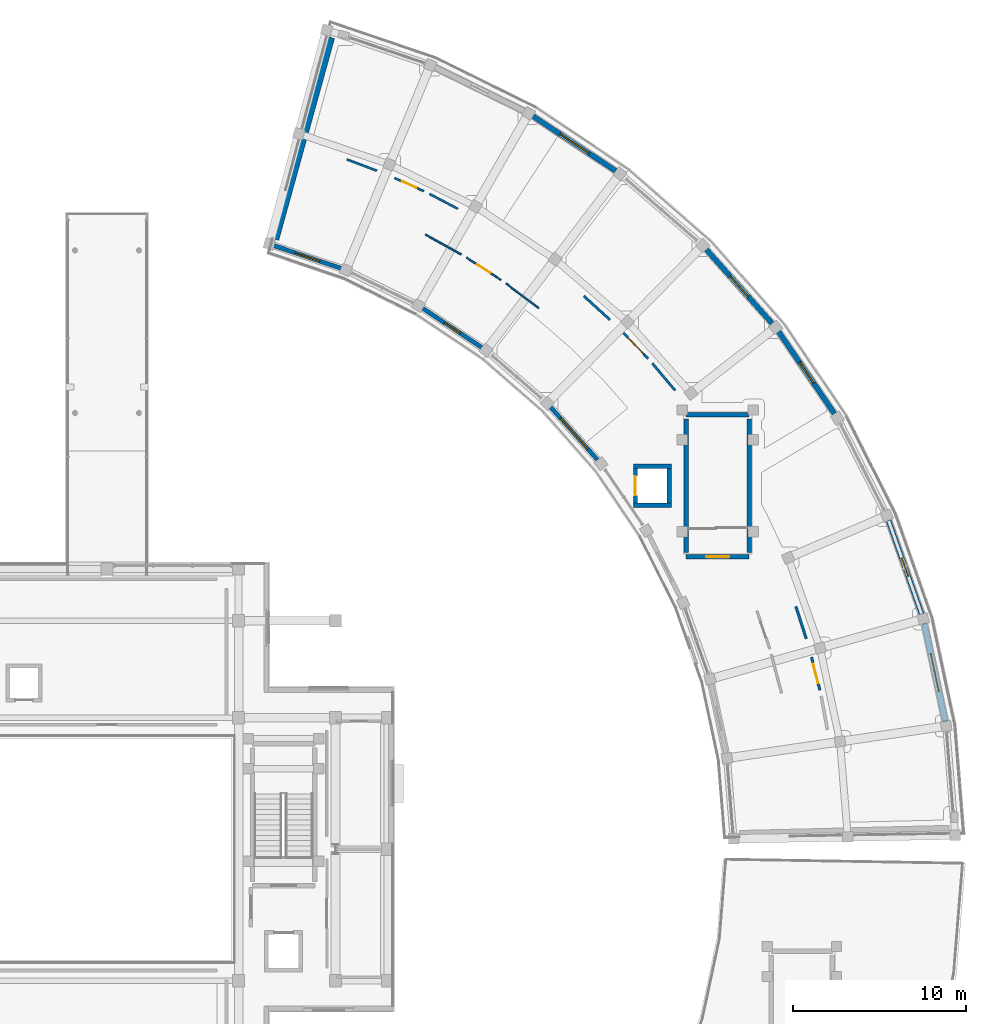
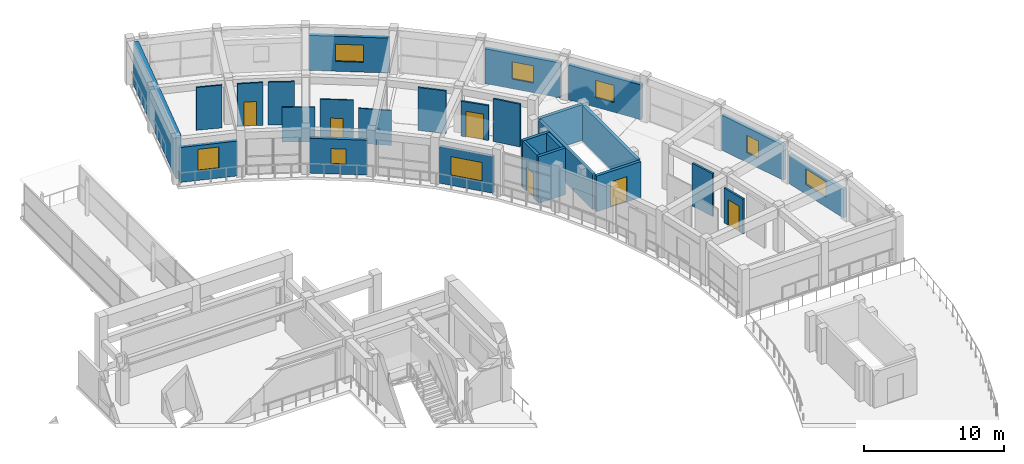
# One storey, part 21 of 29: 28 walls, 8 windows, 6 doors, 14 openings.
"""IFC4 building model written with IfcOpenShell, lengths in metres."""

from ifc_helpers import new_model, si_unit, direction, frame, frame_2d, origin, place, context, subcontext, project, spatial, rectangle, extrude, material, layer, layer_set, type_object, element, fill, save


model = new_model("IFC4")

# Units and contexts
model_context = context("Model", 3, precision=1e-05, world=origin(), true_north=direction((0.0, 1.0)))
body_context = subcontext(model_context, "Body", "Model", "MODEL_VIEW")
ifc_project = project(units=[si_unit("LENGTHUNIT", "METRE"), si_unit("AREAUNIT", "SQUARE_METRE"), si_unit("VOLUMEUNIT", "CUBIC_METRE"), si_unit("PLANEANGLEUNIT", "RADIAN"), si_unit("MASSUNIT", "GRAM", prefix="KILO")], contexts=[model_context])

# Site, building, storey
site_placement = place(None, origin())
site = spatial("IfcSite", under=ifc_project, at=site_placement, CompositionType="ELEMENT")
building_placement = place(site_placement, origin())
building = spatial("IfcBuilding", under=site, at=building_placement, Name="Saryqyr Civic Hall", CompositionType="ELEMENT")
storey_placement = place(building_placement, frame((0.0, 0.0, 25.35009765625)))
storey = spatial("IfcBuildingStorey", under=building, at=storey_placement, Name="L06", CompositionType="ELEMENT", Elevation=25.35009765625)

# Wall, opening, window
ifc_material_1 = material(Name="Precast concrete C40/50", Category="concrete")
ifc_layer_1 = layer(ifc_material_1, 0.239990234375, Name="Precast concrete C40/50")
ifc_layer_set_1 = layer_set([ifc_layer_1], Name="Precast concrete C40/50")
wall_type_1 = type_object("IfcWallType", Name="ENV-WAL-EXT-240", PredefinedType="STANDARD", material=ifc_layer_set_1)
wall_1_placement = place(storey_placement, frame((85.326416015625, 106.509521484375, 0.0), z_axis=(0.0, 0.0, 1.0), x_axis=(-0.664947894459, 0.74688974933, 0.0)))
wall_1 = element("IfcWall", 1, at=wall_1_placement, inside=storey, type_object=wall_type_1, Name="Exterior wall V6-EWI-L06-05", PredefinedType="STANDARD", context=body_context, shape_type="SweptSolid", body=[
    extrude(rectangle(XDim=4.046142578125, YDim=0.239990234375, at=frame_2d((2.02294921875, 0.0))), origin(), (0.0, 0.0, 1.0), 3.184814453125),
])
opening_1_placement = place(wall_1_placement, frame((0.847900390625, 0.0, 0.85009765625)))
opening_1 = element("IfcOpeningElement", 2, at=opening_1_placement, cuts=wall_1, Name="Opening W-22", PredefinedType="OPENING", context=body_context, shape_type="SweptSolid", body=[
    extrude(rectangle(XDim=2.35009765625, YDim=1.64990234375, at=frame_2d((1.175048828125, 0.824951171875))), frame((0.0, 0.1298828125, 0.0), z_axis=(0.0, -1.0, 0.0), x_axis=(1.0, 0.0, 0.0)), (0.0, 0.0, 1.0), 0.260009765625),
])
ifc_material_2 = material(Name="Anodised aluminium and triple low-E glass", Category="aluminium")
window_type_1 = type_object("IfcWindowType", Name="ENV-WIN-W22", PartitioningType="SINGLE_PANEL", PredefinedType="WINDOW", material=ifc_material_2)
window_1_placement = place(opening_1_placement, origin())
window_1 = element("IfcWindow", 3, at=window_1_placement, inside=storey, type_object=window_type_1, Name="Courtyard window V6-L06-05", OverallHeight=1.64990234375, OverallWidth=2.35009765625, PartitioningType="SINGLE_PANEL", PredefinedType="WINDOW", context=body_context, shape_type="SweptSolid", body=[
    extrude(rectangle(XDim=2.35009765625, YDim=1.64990234375, at=frame_2d((1.175048828125, 0.824951171875))), frame((0.0, 0.030029296875, 0.0), z_axis=(0.0, -1.0, 0.0), x_axis=(1.0, 0.0, 0.0)), (0.0, 0.0, 1.0), 0.06005859375),
])
fill(opening_1, window_1)

wall_2_placement = place(storey_placement, frame((78.658935546875, 112.984375, 0.0), z_axis=(0.0, 0.0, 1.0), x_axis=(-0.833763777336, 0.552121330508, 0.0)))
wall_2 = element("IfcWall", 4, at=wall_2_placement, inside=storey, type_object=wall_type_1, Name="Exterior wall V6-EWI-L06-07", PredefinedType="STANDARD", context=body_context, shape_type="SweptSolid", body=[
    extrude(rectangle(XDim=4.111572265625, YDim=0.239990234375, at=frame_2d((2.0556640625, 0.0))), origin(), (0.0, 0.0, 1.0), 3.034912109375),
])
opening_2_placement = place(wall_2_placement, frame((1.506103515625, 0.0, 0.85009765625)))
opening_2 = element("IfcOpeningElement", 5, at=opening_2_placement, cuts=wall_2, Name="Opening W-01", PredefinedType="OPENING", context=body_context, shape_type="SweptSolid", body=[
    extrude(rectangle(XDim=1.10009765625, YDim=1.35009765625, at=frame_2d((0.550048828125, 0.675048828125))), frame((0.0, 0.1298828125, 0.0), z_axis=(0.0, -1.0, 0.0), x_axis=(1.0, 0.0, 0.0)), (0.0, 0.0, 1.0), 0.260009765625),
])
window_type_2 = type_object("IfcWindowType", Name="ENV-WIN-W01", PartitioningType="SINGLE_PANEL", PredefinedType="WINDOW", material=ifc_material_2)
window_2_placement = place(opening_2_placement, origin())
window_2 = element("IfcWindow", 6, at=window_2_placement, inside=storey, type_object=window_type_2, Name="Courtyard window V6-L06-07", OverallHeight=1.35009765625, OverallWidth=1.10009765625, PartitioningType="SINGLE_PANEL", PredefinedType="WINDOW", context=body_context, shape_type="SweptSolid", body=[
    extrude(rectangle(XDim=1.10009765625, YDim=1.35009765625, at=frame_2d((0.550048828125, 0.675048828125))), frame((0.0, 0.030029296875, 0.0), z_axis=(0.0, -1.0, 0.0), x_axis=(1.0, 0.0, 0.0)), (0.0, 0.0, 1.0), 0.06005859375),
])
fill(opening_2, window_2)

wall_3_placement = place(storey_placement, frame((70.562744140625, 117.547119140625, 0.0), z_axis=(0.0, 0.0, 1.0), x_axis=(-0.947212694363, 0.32060585091, 0.0)))
wall_3 = element("IfcWall", 7, at=wall_3_placement, inside=storey, type_object=wall_type_1, Name="Exterior wall V6-EWI-L06-09", PredefinedType="STANDARD", context=body_context, shape_type="SweptSolid", body=[
    extrude(rectangle(XDim=4.17919921875, YDim=0.239990234375, at=frame_2d((2.089599609375, 0.0))), origin(), (0.0, 0.0, 1.0), 3.034912109375),
])
opening_3_placement = place(wall_3_placement, frame((1.340087890625, 0.0, 0.85009765625)))
opening_3 = element("IfcOpeningElement", 8, at=opening_3_placement, cuts=wall_3, Name="Opening W-26", PredefinedType="OPENING", context=body_context, shape_type="SweptSolid", body=[
    extrude(rectangle(XDim=1.5, YDim=1.85009765625, at=frame_2d((0.75, 0.925048828125))), frame((0.0, 0.1298828125, 0.0), z_axis=(0.0, -1.0, 0.0), x_axis=(1.0, 0.0, 0.0)), (0.0, 0.0, 1.0), 0.260009765625),
])
window_type_3 = type_object("IfcWindowType", Name="ENV-WIN-W26", PartitioningType="SINGLE_PANEL", PredefinedType="WINDOW", material=ifc_material_2)
window_3_placement = place(opening_3_placement, origin())
window_3 = element("IfcWindow", 9, at=window_3_placement, inside=storey, type_object=window_type_3, Name="Courtyard window V6-L06-09", OverallHeight=1.85009765625, OverallWidth=1.5, PartitioningType="SINGLE_PANEL", PredefinedType="WINDOW", context=body_context, shape_type="SweptSolid", body=[
    extrude(rectangle(XDim=1.5, YDim=1.85009765625, at=frame_2d((0.75, 0.925048828125))), frame((0.0, 0.030029296875, 0.0), z_axis=(0.0, -1.0, 0.0), x_axis=(1.0, 0.0, 0.0)), (0.0, 0.0, 1.0), 0.06005859375),
])
fill(opening_3, window_3)

ifc_layer_2 = layer(ifc_material_1, 0.2900390625, Name="Precast concrete C40/50")
ifc_layer_set_2 = layer_set([ifc_layer_2], Name="Precast concrete C40/50")
wall_type_2 = type_object("IfcWallType", Name="ENV-WAL-EXT-290", PredefinedType="STANDARD", material=ifc_layer_set_2)
wall_4_placement = place(storey_placement, frame((104.208251953125, 97.07373046875, 0.0), z_axis=(0.0, 0.0, 1.0), x_axis=(0.208873267346, -0.977942717233, 0.0)))
wall_4 = element("IfcWall", 10, at=wall_4_placement, inside=storey, type_object=wall_type_2, Name="Exterior wall V6-EWO-L06-01", PredefinedType="STANDARD", context=body_context, shape_type="SweptSolid", body=[
    extrude(rectangle(XDim=5.84765625, YDim=0.2900390625, at=frame_2d((2.923828125, 0.0))), origin(), (0.0, 0.0, 1.0), 2.449951171875),
])
opening_4_placement = place(wall_4_placement, frame((1.823974609375, 0.0, 0.85009765625)))
opening_4 = element("IfcOpeningElement", 11, at=opening_4_placement, cuts=wall_4, Name="Opening W-08", PredefinedType="OPENING", context=body_context, shape_type="SweptSolid", body=[
    extrude(rectangle(XDim=2.199951171875, YDim=1.35009765625, at=frame_2d((1.10009765625, 0.675048828125))), frame((0.0, 0.155029296875, 0.0), z_axis=(0.0, -1.0, 0.0), x_axis=(1.0, 0.0, 0.0)), (0.0, 0.0, 1.0), 0.31005859375),
])
window_type_4 = type_object("IfcWindowType", Name="ENV-WIN-W08", PartitioningType="SINGLE_PANEL", PredefinedType="WINDOW", material=ifc_material_2)
window_4_placement = place(opening_4_placement, origin())
window_4 = element("IfcWindow", 12, at=window_4_placement, inside=storey, type_object=window_type_4, Name="Exterior ribbon window V6-L06-01", OverallHeight=1.35009765625, OverallWidth=2.199951171875, PartitioningType="SINGLE_PANEL", PredefinedType="WINDOW", context=body_context, shape_type="SweptSolid", body=[
    extrude(rectangle(XDim=2.199951171875, YDim=1.35009765625, at=frame_2d((1.10009765625, 0.675048828125))), frame((0.0, 0.030029296875, 0.0), z_axis=(0.0, -1.0, 0.0), x_axis=(1.0, 0.0, 0.0)), (0.0, 0.0, 1.0), 0.06005859375),
])
fill(opening_4, window_4)

wall_5_placement = place(storey_placement, frame((102.13232421875, 103.04052734375, 0.0), z_axis=(0.0, 0.0, 1.0), x_axis=(0.333212182882, -0.942851865978, 0.0)))
wall_5 = element("IfcWall", 13, at=wall_5_placement, inside=storey, type_object=wall_type_2, Name="Exterior wall V6-EWO-L06-02", PredefinedType="STANDARD", context=body_context, shape_type="SweptSolid", body=[
    extrude(rectangle(XDim=5.830078125, YDim=0.2900390625, at=frame_2d((2.9150390625, 0.0))), origin(), (0.0, 0.0, 1.0), 3.034912109375),
])
opening_5_placement = place(wall_5_placement, frame((2.340087890625, 0.0, 0.85009765625)))
opening_5 = element("IfcOpeningElement", 14, at=opening_5_placement, cuts=wall_5, Name="Opening W-09", PredefinedType="OPENING", context=body_context, shape_type="SweptSolid", body=[
    extrude(rectangle(XDim=1.14990234375, YDim=1.5, at=frame_2d((0.574951171875, 0.75))), frame((0.0, 0.155029296875, 0.0), z_axis=(0.0, -1.0, 0.0), x_axis=(1.0, 0.0, 0.0)), (0.0, 0.0, 1.0), 0.31005859375),
])
window_type_5 = type_object("IfcWindowType", Name="ENV-WIN-W09", PartitioningType="SINGLE_PANEL", PredefinedType="WINDOW", material=ifc_material_2)
window_5_placement = place(opening_5_placement, origin())
window_5 = element("IfcWindow", 15, at=window_5_placement, inside=storey, type_object=window_type_5, Name="Exterior ribbon window V6-L06-02", OverallHeight=1.5, OverallWidth=1.14990234375, PartitioningType="SINGLE_PANEL", PredefinedType="WINDOW", context=body_context, shape_type="SweptSolid", body=[
    extrude(rectangle(XDim=1.14990234375, YDim=1.5, at=frame_2d((0.574951171875, 0.75))), frame((0.0, 0.030029296875, 0.0), z_axis=(0.0, -1.0, 0.0), x_axis=(1.0, 0.0, 0.0)), (0.0, 0.0, 1.0), 0.06005859375),
])
fill(opening_5, window_5)

wall_6_placement = place(storey_placement, frame((95.785888671875, 113.91552734375, 0.0), z_axis=(0.0, 0.0, 1.0), x_axis=(0.563132935525, -0.826366321269, 0.0)))
wall_6 = element("IfcWall", 16, at=wall_6_placement, inside=storey, type_object=wall_type_2, Name="Exterior wall V6-EWO-L06-04", PredefinedType="STANDARD", context=body_context, shape_type="SweptSolid", body=[
    extrude(rectangle(XDim=5.759521484375, YDim=0.2900390625, at=frame_2d((2.8798828125, 0.0))), origin(), (0.0, 0.0, 1.0), 3.034912109375),
])
opening_6_placement = place(wall_6_placement, frame((2.155029296875, 0.0, 0.85009765625)))
opening_6 = element("IfcOpeningElement", 17, at=opening_6_placement, cuts=wall_6, Name="Opening W-11", PredefinedType="OPENING", context=body_context, shape_type="SweptSolid", body=[
    extrude(rectangle(XDim=1.449951171875, YDim=1.5, at=frame_2d((0.72509765625, 0.75))), frame((0.0, 0.155029296875, 0.0), z_axis=(0.0, -1.0, 0.0), x_axis=(1.0, 0.0, 0.0)), (0.0, 0.0, 1.0), 0.31005859375),
])
window_type_6 = type_object("IfcWindowType", Name="ENV-WIN-W11", PartitioningType="SINGLE_PANEL", PredefinedType="WINDOW", material=ifc_material_2)
window_6_placement = place(opening_6_placement, origin())
window_6 = element("IfcWindow", 18, at=window_6_placement, inside=storey, type_object=window_type_6, Name="Exterior ribbon window V6-L06-04", OverallHeight=1.5, OverallWidth=1.449951171875, PartitioningType="SINGLE_PANEL", PredefinedType="WINDOW", context=body_context, shape_type="SweptSolid", body=[
    extrude(rectangle(XDim=1.449951171875, YDim=1.5, at=frame_2d((0.72509765625, 0.75))), frame((0.0, 0.030029296875, 0.0), z_axis=(0.0, -1.0, 0.0), x_axis=(1.0, 0.0, 0.0)), (0.0, 0.0, 1.0), 0.06005859375),
])
fill(opening_6, window_6)

wall_7_placement = place(storey_placement, frame((91.626953125, 118.642333984375, 0.0), z_axis=(0.0, 0.0, 1.0), x_axis=(0.6649220167, -0.746912787217, 0.0)))
wall_7 = element("IfcWall", 19, at=wall_7_placement, inside=storey, type_object=wall_type_2, Name="Exterior wall V6-EWO-L06-05", PredefinedType="STANDARD", context=body_context, shape_type="SweptSolid", body=[
    extrude(rectangle(XDim=5.69921875, YDim=0.2900390625, at=frame_2d((2.849609375, 0.0))), origin(), (0.0, 0.0, 1.0), 3.034912109375),
])
opening_7_placement = place(wall_7_placement, frame((2.050048828125, 0.0, 0.85009765625)))
opening_7 = element("IfcOpeningElement", 20, at=opening_7_placement, cuts=wall_7, Name="Opening W-12", PredefinedType="OPENING", context=body_context, shape_type="SweptSolid", body=[
    extrude(rectangle(XDim=1.60009765625, YDim=1.5, at=frame_2d((0.800048828125, 0.75))), frame((0.0, 0.155029296875, 0.0), z_axis=(0.0, -1.0, 0.0), x_axis=(1.0, 0.0, 0.0)), (0.0, 0.0, 1.0), 0.31005859375),
])
window_type_7 = type_object("IfcWindowType", Name="ENV-WIN-W12", PartitioningType="SINGLE_PANEL", PredefinedType="WINDOW", material=ifc_material_2)
window_7_placement = place(opening_7_placement, origin())
window_7 = element("IfcWindow", 21, at=window_7_placement, inside=storey, type_object=window_type_7, Name="Exterior ribbon window V6-L06-05", OverallHeight=1.5, OverallWidth=1.60009765625, PartitioningType="SINGLE_PANEL", PredefinedType="WINDOW", context=body_context, shape_type="SweptSolid", body=[
    extrude(rectangle(XDim=1.60009765625, YDim=1.5, at=frame_2d((0.800048828125, 0.75))), frame((0.0, 0.030029296875, 0.0), z_axis=(0.0, -1.0, 0.0), x_axis=(1.0, 0.0, 0.0)), (0.0, 0.0, 1.0), 0.06005859375),
])
fill(opening_7, window_7)

wall_8_placement = place(storey_placement, frame((81.593994140625, 126.360595703125, 0.0), z_axis=(0.0, 0.0, 1.0), x_axis=(0.833772811773, -0.552107687276, 0.0)))
wall_8 = element("IfcWall", 22, at=wall_8_placement, inside=storey, type_object=wall_type_2, Name="Exterior wall V6-EWO-L06-07", PredefinedType="STANDARD", context=body_context, shape_type="SweptSolid", body=[
    extrude(rectangle(XDim=5.764892578125, YDim=0.2900390625, at=frame_2d((2.88232421875, 0.0))), origin(), (0.0, 0.0, 1.0), 3.034912109375),
])
opening_8_placement = place(wall_8_placement, frame((1.882080078125, 0.0, 0.85009765625)))
opening_8 = element("IfcOpeningElement", 23, at=opening_8_placement, cuts=wall_8, Name="Opening W-14", PredefinedType="OPENING", context=body_context, shape_type="SweptSolid", body=[
    extrude(rectangle(XDim=2.0, YDim=1.5, at=frame_2d((1.0, 0.75))), frame((0.0, 0.155029296875, 0.0), z_axis=(0.0, -1.0, 0.0), x_axis=(1.0, 0.0, 0.0)), (0.0, 0.0, 1.0), 0.31005859375),
])
window_type_8 = type_object("IfcWindowType", Name="ENV-WIN-W14", PartitioningType="SINGLE_PANEL", PredefinedType="WINDOW", material=ifc_material_2)
window_8_placement = place(opening_8_placement, origin())
window_8 = element("IfcWindow", 24, at=window_8_placement, inside=storey, type_object=window_type_8, Name="Exterior ribbon window V6-L06-07", OverallHeight=1.5, OverallWidth=2.0, PartitioningType="SINGLE_PANEL", PredefinedType="WINDOW", context=body_context, shape_type="SweptSolid", body=[
    extrude(rectangle(XDim=2.0, YDim=1.5, at=frame_2d((1.0, 0.75))), frame((0.0, 0.030029296875, 0.0), z_axis=(0.0, -1.0, 0.0), x_axis=(1.0, 0.0, 0.0)), (0.0, 0.0, 1.0), 0.06005859375),
])
fill(opening_8, window_8)

# Wall
ifc_material_3 = material(Name="Concrete C40/50", Category="concrete")
ifc_layer_3 = layer(ifc_material_3, 0.3798828125, Name="Concrete C40/50")
ifc_layer_set_3 = layer_set([ifc_layer_3], Name="Concrete C40/50")
wall_type_3 = type_object("IfcWallType", Name="ENV-WAL-PTY-380", PredefinedType="SHEAR", material=ifc_layer_set_3)
wall_9_placement = place(storey_placement, frame((66.73681640625, 119.229248046875, 0.0), z_axis=(0.0, 0.0, 1.0), x_axis=(0.266399016259, 0.963862834711, 0.0)))
element("IfcWall", 25, at=wall_9_placement, inside=storey, type_object=wall_type_3, Name="Exterior wall V6-JNTW-B-L06", PredefinedType="SHEAR", context=body_context, shape_type="SweptSolid", body=[
    extrude(rectangle(XDim=12.099853515625, YDim=0.3798828125, at=frame_2d((6.0498046875, 0.0))), origin(), (0.0, 0.0, 1.0), 3.75),
])

# Wall, opening, door
ifc_material_4 = material(Name="Lightweight demountable partition", Category="gypsum")
ifc_layer_4 = layer(ifc_material_4, 0.094970703125, Name="Lightweight demountable partition")
ifc_layer_set_4 = layer_set([ifc_layer_4], Name="Lightweight demountable partition")
wall_type_4 = type_object("IfcWallType", Name="INT-WAL-PRT-095", PredefinedType="PARTITIONING", material=ifc_layer_set_4)
wall_10_placement = place(storey_placement, frame((77.7685546875, 118.17919921875, 0.0), z_axis=(0.0, 0.0, 1.0), x_axis=(0.838858169796, -0.544350044517, 0.0)))
wall_10 = element("IfcWall", 26, at=wall_10_placement, inside=storey, type_object=wall_type_4, Name="Interior partition PRT-SP-V6-L06-R05-W1", PredefinedType="PARTITIONING", context=body_context, shape_type="SweptSolid", body=[
    extrude(rectangle(XDim=2.36669921875, YDim=0.094970703125, at=frame_2d((1.183349609375, 0.0))), origin(), (0.0, 0.0, 1.0), 3.719970703125),
])
opening_9_placement = place(wall_10_placement, frame((0.73291015625, 0.0, 0.0)))
opening_9 = element("IfcOpeningElement", 27, at=opening_9_placement, cuts=wall_10, Name="Opening D-01", PredefinedType="OPENING", context=body_context, shape_type="SweptSolid", body=[
    extrude(rectangle(XDim=0.89990234375, YDim=2.10009765625, at=frame_2d((0.449951171875, 1.050048828125))), frame((0.0, 0.057373046875, 0.0), z_axis=(0.0, -1.0, 0.0), x_axis=(1.0, 0.0, 0.0)), (0.0, 0.0, 1.0), 0.114990234375),
])
ifc_material_5 = material(Name="Acoustic solid-core oak veneer", Category="wood")
door_type_1 = type_object("IfcDoorType", Name="INT-DR-D-01", OperationType="NOTDEFINED", PredefinedType="DOOR", material=ifc_material_5)
door_1_placement = place(opening_9_placement, origin())
door_1 = element("IfcDoor", 28, at=door_1_placement, inside=storey, type_object=door_type_1, Name="Interior door Senior Clerks' & Parliamentary Counsel Suite", OperationType="SINGLE_SWING_RIGHT", OverallHeight=2.10009765625, OverallWidth=0.89990234375, PredefinedType="DOOR", context=body_context, shape_type="SweptSolid", body=[
    extrude(rectangle(XDim=0.89990234375, YDim=2.10009765625, at=frame_2d((0.449951171875, 1.050048828125))), frame((0.0, 0.02490234375, 0.0), z_axis=(0.0, -1.0, 0.0), x_axis=(1.0, 0.0, 0.0)), (0.0, 0.0, 1.0), 0.050048828125),
])
fill(opening_9, door_1)

# Walls
for number, where, z_axis, x_axis, name in (
    (29, (75.3916015625, 119.5146484375, 0.0), (0.0, 0.0, 1.0), (0.87399179581, -0.485940676273, 0.0), "Interior partition PRT-SP-V6-L06-R05-W2"),
    (30, (80.048828125, 116.684814453125, 0.0), (0.0, 0.0, 1.0), (0.799777154205, -0.600297012829, 0.0), "Interior partition PRT-SP-V6-L06-R05-W3"),
):
    element("IfcWall", number, at=place(storey_placement, frame(where, z_axis=z_axis, x_axis=x_axis)), inside=storey, type_object=wall_type_4, Name=name, PredefinedType="PARTITIONING", context=body_context, shape_type="SweptSolid", body=[
        extrude(rectangle(XDim=2.366943359375, YDim=0.094970703125, at=frame_2d((1.18359375, 0.0))), origin(), (0.0, 0.0, 1.0), 3.034912109375),
    ])

# Wall, opening, door
ifc_material_6 = material(Name="Metal-stud gypsum board partition", Category="gypsum")
ifc_layer_5 = layer(ifc_material_6, 0.125, Name="Metal-stud gypsum board partition")
ifc_layer_set_5 = layer_set([ifc_layer_5], Name="Metal-stud gypsum board partition")
wall_type_5 = type_object("IfcWallType", Name="INT-WAL-PRT-125", PredefinedType="PARTITIONING", material=ifc_layer_set_5)
wall_11_placement = place(storey_placement, frame((75.300537109375, 122.019775390625, 0.0), z_axis=(0.0, 0.0, 1.0), x_axis=(-0.912201421818, 0.40974207257, 0.0)))
wall_11 = element("IfcWall", 31, at=wall_11_placement, inside=storey, type_object=wall_type_5, Name="Interior partition PRT-SP-V6-L06-R03-W1", PredefinedType="PARTITIONING", context=body_context, shape_type="SweptSolid", body=[
    extrude(rectangle(XDim=1.859130859375, YDim=0.125, at=frame_2d((0.9296875, 0.0))), origin(), (0.0, 0.0, 1.0), 3.719970703125),
])
opening_10_placement = place(wall_11_placement, frame((0.47998046875, 0.0, 0.0)))
opening_10 = element("IfcOpeningElement", 32, at=opening_10_placement, cuts=wall_11, Name="Opening D-01", PredefinedType="OPENING", context=body_context, shape_type="SweptSolid", body=[
    extrude(rectangle(XDim=0.89990234375, YDim=2.10009765625, at=frame_2d((0.449951171875, 1.050048828125))), frame((0.0, 0.072509765625, 0.0), z_axis=(0.0, -1.0, 0.0), x_axis=(1.0, 0.0, 0.0)), (0.0, 0.0, 1.0), 0.14501953125),
])
door_2_placement = place(opening_10_placement, origin())
door_2 = element("IfcDoor", 33, at=door_2_placement, inside=storey, type_object=door_type_1, Name="Interior door Staff Restroom & Accessible MGN WC L06-N", OperationType="SINGLE_SWING_RIGHT", OverallHeight=2.10009765625, OverallWidth=0.89990234375, PredefinedType="DOOR", context=body_context, shape_type="SweptSolid", body=[
    extrude(rectangle(XDim=0.89990234375, YDim=2.10009765625, at=frame_2d((0.449951171875, 1.050048828125))), frame((0.0, 0.02490234375, 0.0), z_axis=(0.0, -1.0, 0.0), x_axis=(1.0, 0.0, 0.0)), (0.0, 0.0, 1.0), 0.050048828125),
])
fill(opening_10, door_2)

# Walls
for number, where, z_axis, x_axis, name in (
    (34, (77.270263671875, 120.997802734375, 0.0), (0.0, 0.0, 1.0), (-0.88531952644, 0.464983156797, 0.0), "Interior partition PRT-SP-V6-L06-R03-W2"),
    (35, (72.58837890625, 123.201171875, 0.0), (0.0, 0.0, 1.0), (-0.935631179075, 0.352979173243, 0.0), "Interior partition PRT-SP-V6-L06-R03-W3"),
):
    element("IfcWall", number, at=place(storey_placement, frame(where, z_axis=z_axis, x_axis=x_axis)), inside=storey, type_object=wall_type_5, Name=name, PredefinedType="PARTITIONING", context=body_context, shape_type="SweptSolid", body=[
        extrude(rectangle(XDim=1.859130859375, YDim=0.125, at=frame_2d((0.9296875, 0.0))), origin(), (0.0, 0.0, 1.0), 3.719970703125),
    ])

# Wall, opening, door
ifc_layer_6 = layer(ifc_material_6, 0.139892578125, Name="Metal-stud gypsum board partition")
ifc_layer_set_6 = layer_set([ifc_layer_6], Name="Metal-stud gypsum board partition")
wall_type_6 = type_object("IfcWallType", Name="INT-WAL-PRT-140", PredefinedType="PARTITIONING", material=ifc_layer_set_6)
wall_12_placement = place(storey_placement, frame((88.260009765625, 112.340576171875, 0.0), z_axis=(0.0, 0.0, 1.0), x_axis=(-0.69256911777, 0.721351521182, 0.0)))
wall_12 = element("IfcWall", 36, at=wall_12_placement, inside=storey, type_object=wall_type_6, Name="Interior partition PRT-SP-V6-L06-R02-W1", PredefinedType="PARTITIONING", context=body_context, shape_type="SweptSolid", body=[
    extrude(rectangle(XDim=2.044189453125, YDim=0.139892578125, at=frame_2d((1.02197265625, 0.0))), origin(), (0.0, 0.0, 1.0), 3.034912109375),
])
opening_11_placement = place(wall_12_placement, frame((0.3720703125, 0.0, 0.0)))
opening_11 = element("IfcOpeningElement", 37, at=opening_11_placement, cuts=wall_12, Name="Opening D-12", PredefinedType="OPENING", context=body_context, shape_type="SweptSolid", body=[
    extrude(rectangle(XDim=1.300048828125, YDim=2.219970703125, at=frame_2d((0.64990234375, 1.10986328125))), frame((0.0, 0.079833984375, 0.0), z_axis=(0.0, -1.0, 0.0), x_axis=(1.0, 0.0, 0.0)), (0.0, 0.0, 1.0), 0.159912109375),
])
door_type_2 = type_object("IfcDoorType", Name="INT-DR-D-12", OperationType="NOTDEFINED", PredefinedType="DOOR", material=ifc_material_5)
door_3_placement = place(opening_11_placement, origin())
door_3 = element("IfcDoor", 38, at=door_3_placement, inside=storey, type_object=door_type_2, Name="Interior door Civic Emergency Resilience & Ops Room", OperationType="SINGLE_SWING_LEFT", OverallHeight=2.219970703125, OverallWidth=1.300048828125, PredefinedType="DOOR", context=body_context, shape_type="SweptSolid", body=[
    extrude(rectangle(XDim=1.300048828125, YDim=2.219970703125, at=frame_2d((0.64990234375, 1.10986328125))), frame((0.0, 0.02490234375, 0.0), z_axis=(0.0, -1.0, 0.0), x_axis=(1.0, 0.0, 0.0)), (0.0, 0.0, 1.0), 0.050048828125),
])
fill(opening_11, door_3)

# Walls
wall_13_placement = place(storey_placement, frame((89.81640625, 110.508544921875, 0.0), z_axis=(0.0, 0.0, 1.0), x_axis=(-0.643701685494, 0.765276512179, 0.0)))
element("IfcWall", 39, at=wall_13_placement, inside=storey, type_object=wall_type_6, Name="Interior partition PRT-SP-V6-L06-R02-W2", PredefinedType="PARTITIONING", context=body_context, shape_type="SweptSolid", body=[
    extrude(rectangle(XDim=2.044189453125, YDim=0.139892578125, at=frame_2d((1.02197265625, 0.0))), origin(), (0.0, 0.0, 1.0), 3.719970703125),
])
wall_14_placement = place(storey_placement, frame((86.05712890625, 114.582763671875, 0.0), z_axis=(0.0, 0.0, 1.0), x_axis=(-0.738506180339, 0.674246706779, 0.0)))
element("IfcWall", 40, at=wall_14_placement, inside=storey, type_object=wall_type_6, Name="Interior partition PRT-SP-V6-L06-R02-W3", PredefinedType="PARTITIONING", context=body_context, shape_type="SweptSolid", body=[
    extrude(rectangle(XDim=2.0439453125, YDim=0.139892578125, at=frame_2d((1.02197265625, 0.0))), origin(), (0.0, 0.0, 1.0), 3.719970703125),
])

# Wall, opening, door
ifc_material_7 = material(Name="Acoustic double-stud gypsum board", Category="gypsum")
ifc_layer_7 = layer(ifc_material_7, 0.155029296875, Name="Acoustic double-stud gypsum board")
ifc_layer_set_7 = layer_set([ifc_layer_7], Name="Acoustic double-stud gypsum board")
wall_type_7 = type_object("IfcWallType", Name="INT-WAL-PRT-155", PredefinedType="PARTITIONING", material=ifc_layer_set_7)
wall_15_placement = place(storey_placement, frame((98.181396484375, 93.19140625, 0.0), z_axis=(0.0, 0.0, 1.0), x_axis=(-0.244871130076, 0.969555635152, 0.0)))
wall_15 = element("IfcWall", 41, at=wall_15_placement, inside=storey, type_object=wall_type_7, Name="Interior partition PRT-SP-V6-L06-R01-W1", PredefinedType="PARTITIONING", context=body_context, shape_type="SweptSolid", body=[
    extrude(rectangle(XDim=1.967041015625, YDim=0.155029296875, at=frame_2d((0.9833984375, 0.0))), origin(), (0.0, 0.0, 1.0), 3.034912109375),
])
opening_12_placement = place(wall_15_placement, frame((0.408935546875, 0.0, 0.0)))
opening_12 = element("IfcOpeningElement", 42, at=opening_12_placement, cuts=wall_15, Name="Opening D-11", PredefinedType="OPENING", context=body_context, shape_type="SweptSolid", body=[
    extrude(rectangle(XDim=1.14990234375, YDim=2.219970703125, at=frame_2d((0.574951171875, 1.10986328125))), frame((0.0, 0.08740234375, 0.0), z_axis=(0.0, -1.0, 0.0), x_axis=(1.0, 0.0, 0.0)), (0.0, 0.0, 1.0), 0.175048828125),
])
door_type_3 = type_object("IfcDoorType", Name="INT-DR-D-11", OperationType="NOTDEFINED", PredefinedType="DOOR", material=ifc_material_5)
door_4_placement = place(opening_12_placement, origin())
door_4 = element("IfcDoor", 43, at=door_4_placement, inside=storey, type_object=door_type_3, Name="Interior door North Ring AHU & Heat-Recovery Plant Room", OperationType="SINGLE_SWING_RIGHT", OverallHeight=2.219970703125, OverallWidth=1.14990234375, PredefinedType="DOOR", context=body_context, shape_type="SweptSolid", body=[
    extrude(rectangle(XDim=1.14990234375, YDim=2.219970703125, at=frame_2d((0.574951171875, 1.10986328125))), frame((0.0, 0.02490234375, 0.0), z_axis=(0.0, -1.0, 0.0), x_axis=(1.0, 0.0, 0.0)), (0.0, 0.0, 1.0), 0.050048828125),
])
fill(opening_12, door_4)

# Walls
wall_16_placement = place(storey_placement, frame((97.396728515625, 96.155517578125, 0.0), z_axis=(0.0, 0.0, 1.0), x_axis=(-0.306193985411, 0.951969139887, 0.0)))
element("IfcWall", 44, at=wall_16_placement, inside=storey, type_object=wall_type_7, Name="Interior partition PRT-SP-V6-L06-R01-W2", PredefinedType="PARTITIONING", context=body_context, shape_type="SweptSolid", body=[
    extrude(rectangle(XDim=1.967041015625, YDim=0.155029296875, at=frame_2d((0.9833984375, 0.0))), origin(), (0.0, 0.0, 1.0), 3.719970703125),
])
ifc_layer_8 = layer(ifc_material_3, 0.239990234375, Name="Concrete C40/50")
ifc_layer_set_8 = layer_set([ifc_layer_8], Name="Concrete C40/50")
wall_type_8 = type_object("IfcWallType", Name="INT-WAL-SHR-240", PredefinedType="SHEAR", material=ifc_layer_set_8)
wall_17_placement = place(storey_placement, frame((89.60009765625, 103.8701171875, 0.0), z_axis=(0.0, 0.0, 1.0), x_axis=(-1.0, 0.0, 0.0)))
element("IfcWall", 45, at=wall_17_placement, inside=storey, type_object=wall_type_8, Name="Lift shaft shear wall LF-08-SHW-S-L06", PredefinedType="SHEAR", context=body_context, shape_type="SweptSolid", body=[
    extrude(rectangle(XDim=2.2001953125, YDim=0.239990234375, at=frame_2d((1.10009765625, 0.0))), origin(), (0.0, 0.0, 1.0), 4.0498046875),
])
wall_18_placement = place(storey_placement, frame((89.47998046875, 106.010009765625, 0.0), z_axis=(0.0, 0.0, 1.0), x_axis=(0.0, -1.0, 0.0)))
element("IfcWall", 46, at=wall_18_placement, inside=storey, type_object=wall_type_8, Name="Lift shaft shear wall LF-08-SHW-E-L06", PredefinedType="SHEAR", context=body_context, shape_type="SweptSolid", body=[
    extrude(rectangle(XDim=2.02001953125, YDim=0.239990234375, at=frame_2d((1.010009765625, 0.0))), origin(), (0.0, 0.0, 1.0), 4.0498046875),
])
wall_19_placement = place(storey_placement, frame((87.39990234375, 106.1298828125, 0.0), z_axis=(0.0, 0.0, 1.0), x_axis=(1.0, 0.0, 0.0)))
element("IfcWall", 47, at=wall_19_placement, inside=storey, type_object=wall_type_8, Name="Lift shaft shear wall LF-08-SHW-N-L06", PredefinedType="SHEAR", context=body_context, shape_type="SweptSolid", body=[
    extrude(rectangle(XDim=2.2001953125, YDim=0.239990234375, at=frame_2d((1.10009765625, 0.0))), origin(), (0.0, 0.0, 1.0), 4.0498046875),
])

# Wall, opening, door
wall_20_placement = place(storey_placement, frame((87.52001953125, 103.989990234375, 0.0), z_axis=(0.0, 0.0, 1.0), x_axis=(0.0, 1.0, 0.0)))
wall_20 = element("IfcWall", 48, at=wall_20_placement, inside=storey, type_object=wall_type_8, Name="Lift shaft shear wall LF-08-SHW-W-L06", PredefinedType="SHEAR", context=body_context, shape_type="SweptSolid", body=[
    extrude(rectangle(XDim=2.02001953125, YDim=0.239990234375, at=frame_2d((1.010009765625, 0.0))), origin(), (0.0, 0.0, 1.0), 4.0498046875),
])
opening_13_placement = place(wall_20_placement, frame((0.4599609375, 0.0, 0.0)))
opening_13 = element("IfcOpeningElement", 49, at=opening_13_placement, cuts=wall_20, Name="Opening LD-01", PredefinedType="OPENING", context=body_context, shape_type="SweptSolid", body=[
    extrude(rectangle(XDim=1.10009765625, YDim=2.14990234375, at=frame_2d((0.550048828125, 1.074951171875))), frame((0.0, 0.1298828125, 0.0), z_axis=(0.0, -1.0, 0.0), x_axis=(1.0, 0.0, 0.0)), (0.0, 0.0, 1.0), 0.260009765625),
])
ifc_material_8 = material(Name="Brushed stainless steel", Category="steel")
door_type_4 = type_object("IfcDoorType", Name="INT-DR-LD-1100x2150", OperationType="NOTDEFINED", PredefinedType="DOOR", material=ifc_material_8)
door_5_placement = place(opening_13_placement, origin())
door_5 = element("IfcDoor", 50, at=door_5_placement, inside=storey, type_object=door_type_4, Name="Lift sliding landing door LF-08 L06", OperationType="SLIDING_TO_RIGHT", OverallHeight=2.14990234375, OverallWidth=1.10009765625, PredefinedType="DOOR", context=body_context, shape_type="SweptSolid", body=[
    extrude(rectangle(XDim=1.10009765625, YDim=2.14990234375, at=frame_2d((0.550048828125, 1.074951171875))), frame((0.0, 0.02490234375, 0.0), z_axis=(0.0, -1.0, 0.0), x_axis=(1.0, 0.0, 0.0)), (0.0, 0.0, 1.0), 0.050048828125),
])
fill(opening_13, door_5)

ifc_layer_9 = layer(ifc_material_3, 0.25, Name="Concrete C40/50")
ifc_layer_set_9 = layer_set([ifc_layer_9], Name="Concrete C40/50")
wall_type_9 = type_object("IfcWallType", Name="INT-WAL-SHR-250", PredefinedType="SHEAR", material=ifc_layer_set_9)
wall_21_placement = place(storey_placement, frame((94.10009765625, 100.89990234375, 0.0), z_axis=(0.0, 0.0, 1.0), x_axis=(-1.0, 0.0, 0.0)))
wall_21 = element("IfcWall", 51, at=wall_21_placement, inside=storey, type_object=wall_type_9, Name="Protected stair shaft wall ST-6-SW1-L06", PredefinedType="SHEAR", context=body_context, shape_type="SweptSolid", body=[
    extrude(rectangle(XDim=3.64013671875, YDim=0.25, at=frame_2d((1.820068359375, 0.0))), origin(), (0.0, 0.0, 1.0), 3.099853515625),
])
opening_14_placement = place(wall_21_placement, frame((1.14501953125, 0.0, 0.0)))
opening_14 = element("IfcOpeningElement", 52, at=opening_14_placement, cuts=wall_21, Name="Opening SD-01", PredefinedType="OPENING", context=body_context, shape_type="SweptSolid", body=[
    extrude(rectangle(XDim=1.35009765625, YDim=2.199951171875, at=frame_2d((0.675048828125, 1.10009765625))), frame((0.0, 0.135009765625, 0.0), z_axis=(0.0, -1.0, 0.0), x_axis=(1.0, 0.0, 0.0)), (0.0, 0.0, 1.0), 0.27001953125),
])
ifc_material_9 = material(Name="Painted galvanized steel", Category="steel")
door_type_5 = type_object("IfcDoorType", Name="INT-DR-STAIR-1350x2200", OperationType="NOTDEFINED", PredefinedType="DOOR", material=ifc_material_9)
door_6_placement = place(opening_14_placement, origin())
door_6 = element("IfcDoor", 53, at=door_6_placement, inside=storey, type_object=door_type_5, Name="Exit stair landing fire door ST-6-L06", OperationType="SINGLE_SWING_RIGHT", OverallHeight=2.199951171875, OverallWidth=1.35009765625, PredefinedType="DOOR", context=body_context, shape_type="SweptSolid", body=[
    extrude(rectangle(XDim=1.35009765625, YDim=2.199951171875, at=frame_2d((0.675048828125, 1.10009765625))), frame((0.0, 0.02490234375, 0.0), z_axis=(0.0, -1.0, 0.0), x_axis=(1.0, 0.0, 0.0)), (0.0, 0.0, 1.0), 0.050048828125),
])
fill(opening_14, door_6)

# Walls
wall_22_placement = place(storey_placement, frame((90.4599609375, 101.14990234375, 0.0), z_axis=(0.0, 0.0, 1.0), x_axis=(0.0, 1.0, 0.0)))
element("IfcWall", 54, at=wall_22_placement, inside=storey, type_object=wall_type_9, Name="Protected stair shaft wall ST-6-SW2-L06", PredefinedType="SHEAR", context=body_context, shape_type="SweptSolid", body=[
    extrude(rectangle(XDim=7.7001953125, YDim=0.25, at=frame_2d((3.85009765625, 0.0))), origin(), (0.0, 0.0, 1.0), 3.099853515625),
])
wall_23_placement = place(storey_placement, frame((90.4599609375, 109.10009765625, 0.0), z_axis=(0.0, 0.0, 1.0), x_axis=(1.0, 0.0, 0.0)))
element("IfcWall", 55, at=wall_23_placement, inside=storey, type_object=wall_type_9, Name="Protected stair shaft wall ST-6-SW3-L06", PredefinedType="SHEAR", context=body_context, shape_type="SweptSolid", body=[
    extrude(rectangle(XDim=3.64013671875, YDim=0.25, at=frame_2d((1.820068359375, 0.0))), origin(), (0.0, 0.0, 1.0), 3.099853515625),
])
wall_24_placement = place(storey_placement, frame((94.10009765625, 108.85009765625, 0.0), z_axis=(0.0, 0.0, 1.0), x_axis=(0.0, -1.0, 0.0)))
element("IfcWall", 56, at=wall_24_placement, inside=storey, type_object=wall_type_9, Name="Protected stair shaft wall ST-6-SW4-L06", PredefinedType="SHEAR", context=body_context, shape_type="SweptSolid", body=[
    extrude(rectangle(XDim=7.7001953125, YDim=0.25, at=frame_2d((3.85009765625, 0.0))), origin(), (0.0, 0.0, 1.0), 3.099853515625),
])

save(model, "model.ifc")
